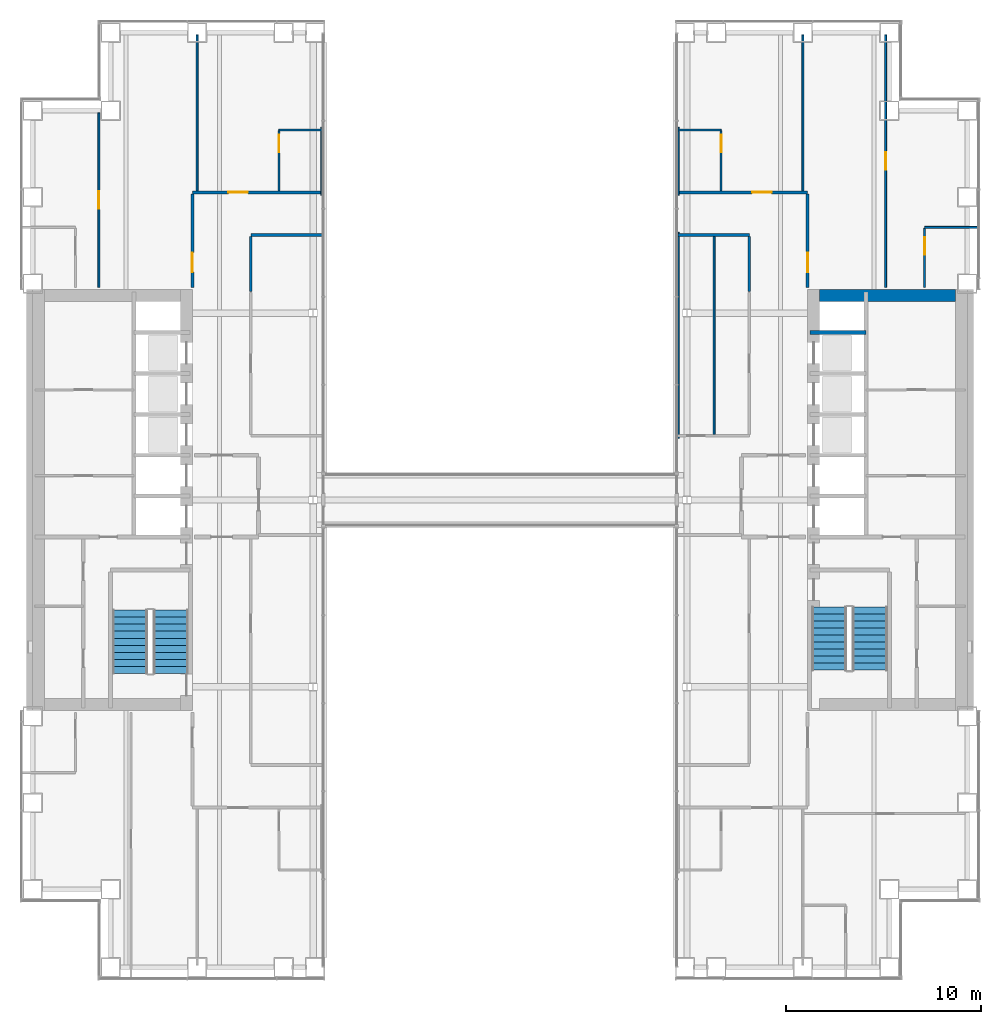
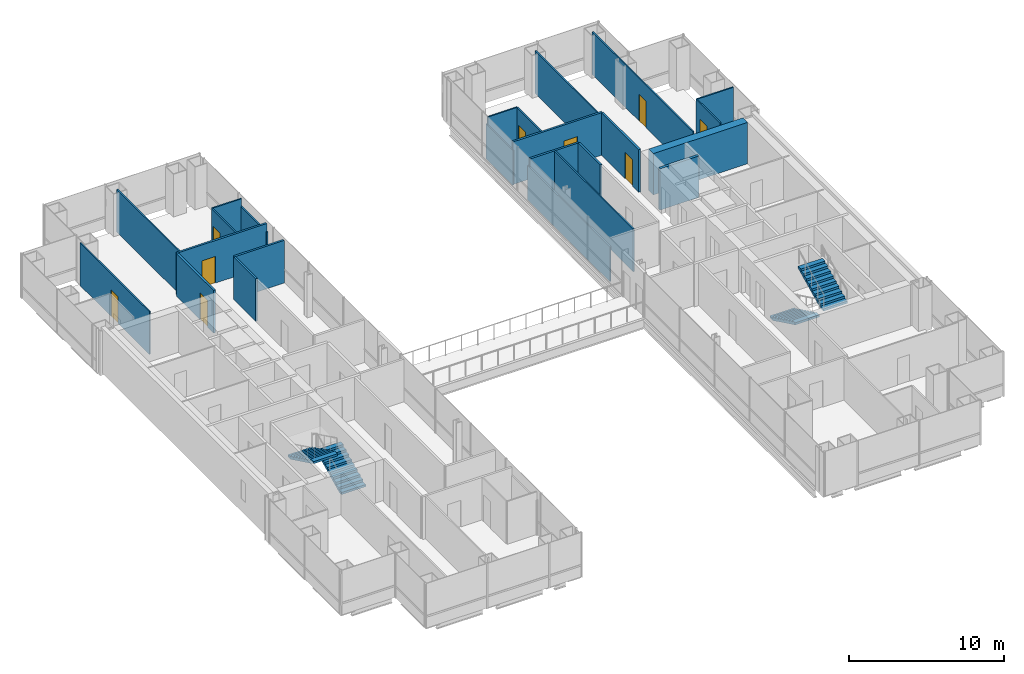
# One storey, part 17 of 19: 24 walls, 9 doors, 4 stair flights, 9 openings, 2 elements without a shape of their own.
"""IFC4 building model written with IfcOpenShell, lengths in metres."""

from ifc_helpers import new_model, si_unit, direction, frame, frame_2d, origin, place, context, subcontext, project, spatial, polyline, rectangle, outline, extrude, material, layer, layer_set, type_object, element, fill, aggregate, save


model = new_model("IFC4")

# Units and contexts
model_context = context("Model", 3, precision=1e-05, world=origin(), true_north=direction((0.0, 1.0)))
body_context = subcontext(model_context, "Body", "Model", "MODEL_VIEW")
ifc_project = project(units=[si_unit("LENGTHUNIT", "METRE"), si_unit("AREAUNIT", "SQUARE_METRE"), si_unit("VOLUMEUNIT", "CUBIC_METRE"), si_unit("PLANEANGLEUNIT", "RADIAN"), si_unit("MASSUNIT", "GRAM", prefix="KILO")], contexts=[model_context])

# Site, building, storey
site_placement = place(None, origin())
site = spatial("IfcSite", under=ifc_project, at=site_placement, CompositionType="ELEMENT")
building_placement = place(site_placement, origin())
building = spatial("IfcBuilding", under=site, at=building_placement, Name="Cobrizo Arcos Hotel Tower", CompositionType="ELEMENT")
storey_placement = place(building_placement, frame((0.0, 0.0, 63.5)))
storey = spatial("IfcBuildingStorey", under=building, at=storey_placement, Name="L14", CompositionType="ELEMENT", Elevation=63.5)

# Walls
ifc_material_1 = material(Name="Gypsum board partition")
ifc_layer_1 = layer(ifc_material_1, 0.14990234375)
ifc_layer_set_1 = layer_set([ifc_layer_1], Name="Corridor wall EI 60 150")
wall_type_1 = type_object("IfcWallType", Name="Corridor wall EI 60 150", PredefinedType="PARTITIONING", material=ifc_layer_set_1)
wall_1_placement = place(storey_placement, frame((-12.800048828125, 13.60009765625, 0.0), z_axis=(0.0, 0.0, 1.0), x_axis=(1.0, 0.0, 0.0)))
element("IfcWall", 1, at=wall_1_placement, inside=storey, type_object=wall_type_1, Name="Partition 038", PredefinedType="PARTITIONING", context=body_context, shape_type="SweptSolid", body=[
    extrude(rectangle(XDim=3.679931640625, YDim=0.14990234375, at=frame_2d((1.83984375, 0.0))), origin(), (0.0, 0.0, 1.0), 3.35009765625),
])
wall_2_placement = place(storey_placement, frame((9.14990234375, 13.60009765625, 0.0), z_axis=(0.0, 0.0, 1.0), x_axis=(1.0, 0.0, 0.0)))
element("IfcWall", 2, at=wall_2_placement, inside=storey, type_object=wall_type_1, Name="Partition 039", PredefinedType="PARTITIONING", context=body_context, shape_type="SweptSolid", body=[
    extrude(rectangle(XDim=3.650146484375, YDim=0.14990234375, at=frame_2d((1.8251953125, 0.0))), origin(), (0.0, 0.0, 1.0), 3.35009765625),
])

# Wall, opening, door
wall_3_placement = place(storey_placement, frame((-15.800048828125, 15.800048828125, 0.0), z_axis=(0.0, 0.0, 1.0), x_axis=(1.0, 0.0, 0.0)))
wall_3 = element("IfcWall", 3, at=wall_3_placement, inside=storey, type_object=wall_type_1, Name="Partition 042", PredefinedType="PARTITIONING", context=body_context, shape_type="SweptSolid", body=[
    extrude(rectangle(XDim=6.650146484375, YDim=0.14990234375, at=frame_2d((3.3251953125, 0.0))), origin(), (0.0, 0.0, 1.0), 3.35009765625),
])
opening_1_placement = place(wall_3_placement, frame((1.846923828125, 0.0, 0.0)))
opening_1 = element("IfcOpeningElement", 4, at=opening_1_placement, cuts=wall_3, Name="Opening GD-02", PredefinedType="OPENING", context=body_context, shape_type="SweptSolid", body=[
    extrude(rectangle(XDim=1.0, YDim=2.10009765625, at=frame_2d((0.5, 1.050048828125))), frame((0.0, 0.0869140625, 0.0), z_axis=(0.0, -1.0, 0.0), x_axis=(1.0, 0.0, 0.0)), (0.0, 0.0, 1.0), 0.173828125),
])
ifc_material_2 = material(Name="Timber door leaf", Category="wood")
door_type_1 = type_object("IfcDoorType", Name="Guest room door FD30S 1000x2100", OperationType="SINGLE_SWING_LEFT", PredefinedType="DOOR", material=ifc_material_2)
door_1_placement = place(opening_1_placement, origin())
door_1 = element("IfcDoor", 5, at=door_1_placement, inside=storey, type_object=door_type_1, Name="Door GD-02", OperationType="SINGLE_SWING_LEFT", OverallHeight=2.10009765625, OverallWidth=1.0, PredefinedType="DOOR", context=body_context, shape_type="SweptSolid", body=[
    extrude(rectangle(XDim=1.0, YDim=2.10009765625, at=frame_2d((0.5, 1.050048828125))), frame((0.0, 0.02490234375, 0.0), z_axis=(0.0, -1.0, 0.0), x_axis=(1.0, 0.0, 0.0)), (0.0, 0.0, 1.0), 0.050048828125),
])
fill(opening_1, door_1)

wall_4_placement = place(storey_placement, frame((9.14990234375, 15.800048828125, 0.0), z_axis=(0.0, 0.0, 1.0), x_axis=(1.0, 0.0, 0.0)))
wall_4 = element("IfcWall", 6, at=wall_4_placement, inside=storey, type_object=wall_type_1, Name="Partition 043", PredefinedType="PARTITIONING", context=body_context, shape_type="SweptSolid", body=[
    extrude(rectangle(XDim=6.650146484375, YDim=0.14990234375, at=frame_2d((3.3251953125, 0.0))), origin(), (0.0, 0.0, 1.0), 3.35009765625),
])
opening_2_placement = place(wall_4_placement, frame((3.802978515625, 0.0, 0.0)))
opening_2 = element("IfcOpeningElement", 7, at=opening_2_placement, cuts=wall_4, Name="Opening GD-01", PredefinedType="OPENING", context=body_context, shape_type="SweptSolid", body=[
    extrude(rectangle(XDim=1.0, YDim=2.10009765625, at=frame_2d((0.5, 1.050048828125))), frame((0.0, 0.0869140625, 0.0), z_axis=(0.0, -1.0, 0.0), x_axis=(1.0, 0.0, 0.0)), (0.0, 0.0, 1.0), 0.173828125),
])
door_2_placement = place(opening_2_placement, origin())
door_2 = element("IfcDoor", 8, at=door_2_placement, inside=storey, type_object=door_type_1, Name="Door GD-01", OperationType="SINGLE_SWING_RIGHT", OverallHeight=2.10009765625, OverallWidth=1.0, PredefinedType="DOOR", context=body_context, shape_type="SweptSolid", body=[
    extrude(rectangle(XDim=1.0, YDim=2.10009765625, at=frame_2d((0.5, 1.050048828125))), frame((0.0, 0.02490234375, 0.0), z_axis=(0.0, -1.0, 0.0), x_axis=(1.0, 0.0, 0.0)), (0.0, 0.0, 1.0), 0.050048828125),
])
fill(opening_2, door_2)

wall_5_placement = place(storey_placement, frame((-15.800048828125, 10.919921875, 0.0), z_axis=(0.0, 0.0, 1.0), x_axis=(0.0, 1.0, 0.0)))
wall_5 = element("IfcWall", 9, at=wall_5_placement, inside=storey, type_object=wall_type_1, Name="Partition 054", PredefinedType="PARTITIONING", context=body_context, shape_type="SweptSolid", body=[
    extrude(rectangle(XDim=4.80517578125, YDim=0.14990234375, at=frame_2d((2.402587890625, 0.0))), origin(), (0.0, 0.0, 1.0), 3.35009765625),
])
opening_3_placement = place(wall_5_placement, frame((0.780029296875, 0.0, 0.0)))
opening_3 = element("IfcOpeningElement", 10, at=opening_3_placement, cuts=wall_5, Name="Opening GD-06", PredefinedType="OPENING", context=body_context, shape_type="SweptSolid", body=[
    extrude(rectangle(XDim=1.0, YDim=2.10009765625, at=frame_2d((0.5, 1.050048828125))), frame((0.0, 0.0869140625, 0.0), z_axis=(0.0, -1.0, 0.0), x_axis=(1.0, 0.0, 0.0)), (0.0, 0.0, 1.0), 0.173828125),
])
door_3_placement = place(opening_3_placement, origin())
door_3 = element("IfcDoor", 11, at=door_3_placement, inside=storey, type_object=door_type_1, Name="Door GD-06", OperationType="SINGLE_SWING_RIGHT", OverallHeight=2.10009765625, OverallWidth=1.0, PredefinedType="DOOR", context=body_context, shape_type="SweptSolid", body=[
    extrude(rectangle(XDim=1.0, YDim=2.10009765625, at=frame_2d((0.5, 1.050048828125))), frame((0.0, 0.02490234375, 0.0), z_axis=(0.0, -1.0, 0.0), x_axis=(1.0, 0.0, 0.0)), (0.0, 0.0, 1.0), 0.050048828125),
])
fill(opening_3, door_3)

# Walls
for number, where, z_axis, x_axis, name in (
    (12, (-12.800048828125, 10.699951171875, 0.0), (0.0, 0.0, 1.0), (0.0, 1.0, 0.0), "Partition 059"),
    (13, (12.800048828125, 10.699951171875, 0.0), (0.0, 0.0, 1.0), (0.0, 1.0, 0.0), "Partition 074"),
):
    element("IfcWall", number, at=place(storey_placement, frame(where, z_axis=z_axis, x_axis=x_axis)), inside=storey, type_object=wall_type_1, Name=name, PredefinedType="PARTITIONING", context=body_context, shape_type="SweptSolid", body=[
        extrude(rectangle(XDim=2.824951171875, YDim=0.14990234375, at=frame_2d((1.41259765625, 0.0))), origin(), (0.0, 0.0, 1.0), 3.35009765625),
    ])

# Wall, opening, door
wall_6_placement = place(storey_placement, frame((15.800048828125, 10.919921875, 0.0), z_axis=(0.0, 0.0, 1.0), x_axis=(0.0, 1.0, 0.0)))
wall_6 = element("IfcWall", 14, at=wall_6_placement, inside=storey, type_object=wall_type_1, Name="Partition 078", PredefinedType="PARTITIONING", context=body_context, shape_type="SweptSolid", body=[
    extrude(rectangle(XDim=4.80517578125, YDim=0.14990234375, at=frame_2d((2.402587890625, 0.0))), origin(), (0.0, 0.0, 1.0), 3.35009765625),
])
opening_4_placement = place(wall_6_placement, frame((0.780029296875, 0.0, 0.0)))
opening_4 = element("IfcOpeningElement", 15, at=opening_4_placement, cuts=wall_6, Name="Opening GD-08", PredefinedType="OPENING", context=body_context, shape_type="SweptSolid", body=[
    extrude(rectangle(XDim=1.0, YDim=2.10009765625, at=frame_2d((0.5, 1.050048828125))), frame((0.0, 0.0869140625, 0.0), z_axis=(0.0, -1.0, 0.0), x_axis=(1.0, 0.0, 0.0)), (0.0, 0.0, 1.0), 0.173828125),
])
door_4_placement = place(opening_4_placement, origin())
door_4 = element("IfcDoor", 16, at=door_4_placement, inside=storey, type_object=door_type_1, Name="Door GD-08", OperationType="SINGLE_SWING_LEFT", OverallHeight=2.10009765625, OverallWidth=1.0, PredefinedType="DOOR", context=body_context, shape_type="SweptSolid", body=[
    extrude(rectangle(XDim=1.0, YDim=2.10009765625, at=frame_2d((0.5, 1.050048828125))), frame((0.0, 0.02490234375, 0.0), z_axis=(0.0, -1.0, 0.0), x_axis=(1.0, 0.0, 0.0)), (0.0, 0.0, 1.0), 0.050048828125),
])
fill(opening_4, door_4)

# Walls
ifc_layer_2 = layer(ifc_material_1, 0.10009765625)
ifc_layer_set_2 = layer_set([ifc_layer_2], Name="Partition EI 30 100")
wall_type_2 = type_object("IfcWallType", Name="Partition EI 30 100", PredefinedType="PARTITIONING", material=ifc_layer_set_2)
wall_7_placement = place(storey_placement, frame((21.800048828125, 14.0, 0.0), z_axis=(0.0, 0.0, 1.0), x_axis=(1.0, 0.0, 0.0)))
element("IfcWall", 17, at=wall_7_placement, inside=storey, type_object=wall_type_2, Name="Partition 041", PredefinedType="PARTITIONING", context=body_context, shape_type="SweptSolid", body=[
    extrude(rectangle(XDim=2.72998046875, YDim=0.10009765625, at=frame_2d((1.364990234375, 0.0))), origin(), (0.0, 0.0, 1.0), 3.35009765625),
])
for number, where, z_axis, x_axis, name in (
    (18, (-11.35009765625, 19.0, 0.0), (0.0, 0.0, 1.0), (1.0, 0.0, 0.0), "Partition 044"),
    (19, (9.14990234375, 19.0, 0.0), (0.0, 0.0, 1.0), (1.0, 0.0, 0.0), "Partition 045"),
):
    element("IfcWall", number, at=place(storey_placement, frame(where, z_axis=z_axis, x_axis=x_axis)), inside=storey, type_object=wall_type_2, Name=name, PredefinedType="PARTITIONING", context=body_context, shape_type="SweptSolid", body=[
        extrude(rectangle(XDim=2.2001953125, YDim=0.10009765625, at=frame_2d((1.10009765625, 0.0))), origin(), (0.0, 0.0, 1.0), 3.35009765625),
    ])

# Wall, opening, door
wall_8_placement = place(storey_placement, frame((-20.60009765625, 10.919921875, 0.0), z_axis=(0.0, 0.0, 1.0), x_axis=(0.0, 1.0, 0.0)))
wall_8 = element("IfcWall", 20, at=wall_8_placement, inside=storey, type_object=wall_type_2, Name="Partition 049", PredefinedType="PARTITIONING", context=body_context, shape_type="SweptSolid", body=[
    extrude(rectangle(XDim=8.9599609375, YDim=0.10009765625, at=frame_2d((4.47998046875, 0.0))), origin(), (0.0, 0.0, 1.0), 3.35009765625),
])
opening_5_placement = place(wall_8_placement, frame((4.030029296875, 0.0, 0.0)))
opening_5 = element("IfcOpeningElement", 21, at=opening_5_placement, cuts=wall_8, Name="Opening RD-12", PredefinedType="OPENING", context=body_context, shape_type="SweptSolid", body=[
    extrude(rectangle(XDim=0.89990234375, YDim=2.10009765625, at=frame_2d((0.449951171875, 1.050048828125))), frame((0.0, 0.06201171875, 0.0), z_axis=(0.0, -1.0, 0.0), x_axis=(1.0, 0.0, 0.0)), (0.0, 0.0, 1.0), 0.1240234375),
])
door_type_2 = type_object("IfcDoorType", Name="Room door FD30 900x2100", OperationType="SINGLE_SWING_LEFT", PredefinedType="DOOR", material=ifc_material_2)
door_5_placement = place(opening_5_placement, origin())
door_5 = element("IfcDoor", 22, at=door_5_placement, inside=storey, type_object=door_type_2, Name="Door RD-12", OperationType="SINGLE_SWING_RIGHT", OverallHeight=2.10009765625, OverallWidth=0.89990234375, PredefinedType="DOOR", context=body_context, shape_type="SweptSolid", body=[
    extrude(rectangle(XDim=0.89990234375, YDim=2.10009765625, at=frame_2d((0.449951171875, 1.050048828125))), frame((0.0, 0.02490234375, 0.0), z_axis=(0.0, -1.0, 0.0), x_axis=(1.0, 0.0, 0.0)), (0.0, 0.0, 1.0), 0.050048828125),
])
fill(opening_5, door_5)

# Wall
wall_9_placement = place(storey_placement, frame((-15.550048828125, 15.875, 0.0), z_axis=(0.0, 0.0, 1.0), x_axis=(0.0, 1.0, 0.0)))
element("IfcWall", 23, at=wall_9_placement, inside=storey, type_object=wall_type_2, Name="Partition 056", PredefinedType="PARTITIONING", context=body_context, shape_type="SweptSolid", body=[
    extrude(rectangle(XDim=8.0048828125, YDim=0.10009765625, at=frame_2d((4.00244140625, 0.0))), origin(), (0.0, 0.0, 1.0), 3.35009765625),
])

# Wall, opening, door
wall_10_placement = place(storey_placement, frame((-11.35009765625, 15.875, 0.0), z_axis=(0.0, 0.0, 1.0), x_axis=(0.0, 1.0, 0.0)))
wall_10 = element("IfcWall", 24, at=wall_10_placement, inside=storey, type_object=wall_type_2, Name="Partition 062", PredefinedType="PARTITIONING", context=body_context, shape_type="SweptSolid", body=[
    extrude(rectangle(XDim=3.074951171875, YDim=0.10009765625, at=frame_2d((1.53759765625, 0.0))), origin(), (0.0, 0.0, 1.0), 3.35009765625),
])
opening_6_placement = place(wall_10_placement, frame((1.970947265625, 0.0, 0.0)))
opening_6 = element("IfcOpeningElement", 25, at=opening_6_placement, cuts=wall_10, Name="Opening ED-02", PredefinedType="OPENING", context=body_context, shape_type="SweptSolid", body=[
    extrude(rectangle(XDim=0.89990234375, YDim=2.10009765625, at=frame_2d((0.449951171875, 1.050048828125))), frame((0.0, 0.06201171875, 0.0), z_axis=(0.0, -1.0, 0.0), x_axis=(1.0, 0.0, 0.0)), (0.0, 0.0, 1.0), 0.1240234375),
])
door_type_3 = type_object("IfcDoorType", Name="En-suite door 900x2100", OperationType="SINGLE_SWING_LEFT", PredefinedType="DOOR", material=ifc_material_2)
door_6_placement = place(opening_6_placement, origin())
door_6 = element("IfcDoor", 26, at=door_6_placement, inside=storey, type_object=door_type_3, Name="Door ED-02", OperationType="SINGLE_SWING_LEFT", OverallHeight=2.10009765625, OverallWidth=0.89990234375, PredefinedType="DOOR", context=body_context, shape_type="SweptSolid", body=[
    extrude(rectangle(XDim=0.89990234375, YDim=2.10009765625, at=frame_2d((0.449951171875, 1.050048828125))), frame((0.0, 0.02490234375, 0.0), z_axis=(0.0, -1.0, 0.0), x_axis=(1.0, 0.0, 0.0)), (0.0, 0.0, 1.0), 0.050048828125),
])
fill(opening_6, door_6)

# Walls
wall_11_placement = place(storey_placement, frame((-9.14990234375, 15.659912109375, 0.0), z_axis=(0.0, 0.0, 1.0), x_axis=(0.0, 1.0, 0.0)))
element("IfcWall", 27, at=wall_11_placement, inside=storey, type_object=wall_type_2, Name="Partition 064", PredefinedType="PARTITIONING", context=body_context, shape_type="SweptSolid", body=[
    extrude(rectangle(XDim=3.47998046875, YDim=0.10009765625, at=frame_2d((1.739990234375, 0.0))), origin(), (0.0, 0.0, 1.0), 2.73291015625),
])
wall_12_placement = place(storey_placement, frame((9.14990234375, 3.159912109375, 0.0), z_axis=(0.0, 0.0, 1.0), x_axis=(0.0, 1.0, 0.0)))
element("IfcWall", 28, at=wall_12_placement, inside=storey, type_object=wall_type_2, Name="Partition 066", PredefinedType="PARTITIONING", context=body_context, shape_type="SweptSolid", body=[
    extrude(rectangle(XDim=10.580078125, YDim=0.10009765625, at=frame_2d((5.2900390625, 0.0))), origin(), (0.0, 0.0, 1.0), 2.73291015625),
])
wall_13_placement = place(storey_placement, frame((9.14990234375, 15.659912109375, 0.0), z_axis=(0.0, 0.0, 1.0), x_axis=(0.0, 1.0, 0.0)))
element("IfcWall", 29, at=wall_13_placement, inside=storey, type_object=wall_type_2, Name="Partition 067", PredefinedType="PARTITIONING", context=body_context, shape_type="SweptSolid", body=[
    extrude(rectangle(XDim=3.47998046875, YDim=0.10009765625, at=frame_2d((1.739990234375, 0.0))), origin(), (0.0, 0.0, 1.0), 2.73291015625),
])
wall_14_placement = place(storey_placement, frame((11.0, 3.375, 0.0), z_axis=(0.0, 0.0, 1.0), x_axis=(0.0, 1.0, 0.0)))
element("IfcWall", 30, at=wall_14_placement, inside=storey, type_object=wall_type_2, Name="Partition 068", PredefinedType="PARTITIONING", context=body_context, shape_type="SweptSolid", body=[
    extrude(rectangle(XDim=10.14990234375, YDim=0.10009765625, at=frame_2d((5.074951171875, 0.0))), origin(), (0.0, 0.0, 1.0), 3.35009765625),
])

# Wall, opening, door
wall_15_placement = place(storey_placement, frame((11.35009765625, 15.875, 0.0), z_axis=(0.0, 0.0, 1.0), x_axis=(0.0, 1.0, 0.0)))
wall_15 = element("IfcWall", 31, at=wall_15_placement, inside=storey, type_object=wall_type_2, Name="Partition 070", PredefinedType="PARTITIONING", context=body_context, shape_type="SweptSolid", body=[
    extrude(rectangle(XDim=3.074951171875, YDim=0.10009765625, at=frame_2d((1.53759765625, 0.0))), origin(), (0.0, 0.0, 1.0), 3.35009765625),
])
opening_7_placement = place(wall_15_placement, frame((1.970947265625, 0.0, 0.0)))
opening_7 = element("IfcOpeningElement", 32, at=opening_7_placement, cuts=wall_15, Name="Opening ED-01", PredefinedType="OPENING", context=body_context, shape_type="SweptSolid", body=[
    extrude(rectangle(XDim=0.89990234375, YDim=2.10009765625, at=frame_2d((0.449951171875, 1.050048828125))), frame((0.0, 0.06201171875, 0.0), z_axis=(0.0, -1.0, 0.0), x_axis=(1.0, 0.0, 0.0)), (0.0, 0.0, 1.0), 0.1240234375),
])
door_7_placement = place(opening_7_placement, origin())
door_7 = element("IfcDoor", 33, at=door_7_placement, inside=storey, type_object=door_type_3, Name="Door ED-01", OperationType="SINGLE_SWING_LEFT", OverallHeight=2.10009765625, OverallWidth=0.89990234375, PredefinedType="DOOR", context=body_context, shape_type="SweptSolid", body=[
    extrude(rectangle(XDim=0.89990234375, YDim=2.10009765625, at=frame_2d((0.449951171875, 1.050048828125))), frame((0.0, 0.02490234375, 0.0), z_axis=(0.0, -1.0, 0.0), x_axis=(1.0, 0.0, 0.0)), (0.0, 0.0, 1.0), 0.050048828125),
])
fill(opening_7, door_7)

# Wall
wall_16_placement = place(storey_placement, frame((15.550048828125, 15.875, 0.0), z_axis=(0.0, 0.0, 1.0), x_axis=(0.0, 1.0, 0.0)))
element("IfcWall", 34, at=wall_16_placement, inside=storey, type_object=wall_type_2, Name="Partition 076", PredefinedType="PARTITIONING", context=body_context, shape_type="SweptSolid", body=[
    extrude(rectangle(XDim=8.0048828125, YDim=0.10009765625, at=frame_2d((4.00244140625, 0.0))), origin(), (0.0, 0.0, 1.0), 3.35009765625),
])

# Wall, opening, door
wall_17_placement = place(storey_placement, frame((19.800048828125, 10.919921875, 0.0), z_axis=(0.0, 0.0, 1.0), x_axis=(0.0, 1.0, 0.0)))
wall_17 = element("IfcWall", 35, at=wall_17_placement, inside=storey, type_object=wall_type_2, Name="Partition 081", PredefinedType="PARTITIONING", context=body_context, shape_type="SweptSolid", body=[
    extrude(rectangle(XDim=12.9599609375, YDim=0.10009765625, at=frame_2d((6.47998046875, 0.0))), origin(), (0.0, 0.0, 1.0), 3.35009765625),
])
opening_8_placement = place(wall_17_placement, frame((6.030029296875, 0.0, 0.0)))
opening_8 = element("IfcOpeningElement", 36, at=opening_8_placement, cuts=wall_17, Name="Opening RD-14", PredefinedType="OPENING", context=body_context, shape_type="SweptSolid", body=[
    extrude(rectangle(XDim=0.89990234375, YDim=2.10009765625, at=frame_2d((0.449951171875, 1.050048828125))), frame((0.0, 0.06201171875, 0.0), z_axis=(0.0, -1.0, 0.0), x_axis=(1.0, 0.0, 0.0)), (0.0, 0.0, 1.0), 0.1240234375),
])
door_8_placement = place(opening_8_placement, origin())
door_8 = element("IfcDoor", 37, at=door_8_placement, inside=storey, type_object=door_type_2, Name="Door RD-14", OperationType="SINGLE_SWING_LEFT", OverallHeight=2.10009765625, OverallWidth=0.89990234375, PredefinedType="DOOR", context=body_context, shape_type="SweptSolid", body=[
    extrude(rectangle(XDim=0.89990234375, YDim=2.10009765625, at=frame_2d((0.449951171875, 1.050048828125))), frame((0.0, 0.02490234375, 0.0), z_axis=(0.0, -1.0, 0.0), x_axis=(1.0, 0.0, 0.0)), (0.0, 0.0, 1.0), 0.050048828125),
])
fill(opening_8, door_8)

wall_18_placement = place(storey_placement, frame((21.800048828125, 10.919921875, 0.0), z_axis=(0.0, 0.0, 1.0), x_axis=(0.0, 1.0, 0.0)))
wall_18 = element("IfcWall", 38, at=wall_18_placement, inside=storey, type_object=wall_type_2, Name="Partition 084", PredefinedType="PARTITIONING", context=body_context, shape_type="SweptSolid", body=[
    extrude(rectangle(XDim=3.030029296875, YDim=0.10009765625, at=frame_2d((1.51513671875, 0.0))), origin(), (0.0, 0.0, 1.0), 3.35009765625),
])
opening_9_placement = place(wall_18_placement, frame((1.669921875, 0.0, 0.0)))
opening_9 = element("IfcOpeningElement", 39, at=opening_9_placement, cuts=wall_18, Name="Opening ED-08", PredefinedType="OPENING", context=body_context, shape_type="SweptSolid", body=[
    extrude(rectangle(XDim=0.89990234375, YDim=2.10009765625, at=frame_2d((0.449951171875, 1.050048828125))), frame((0.0, 0.06201171875, 0.0), z_axis=(0.0, -1.0, 0.0), x_axis=(1.0, 0.0, 0.0)), (0.0, 0.0, 1.0), 0.1240234375),
])
door_9_placement = place(opening_9_placement, origin())
door_9 = element("IfcDoor", 40, at=door_9_placement, inside=storey, type_object=door_type_3, Name="Door ED-08", OperationType="SINGLE_SWING_RIGHT", OverallHeight=2.10009765625, OverallWidth=0.89990234375, PredefinedType="DOOR", context=body_context, shape_type="SweptSolid", body=[
    extrude(rectangle(XDim=0.89990234375, YDim=2.10009765625, at=frame_2d((0.449951171875, 1.050048828125))), frame((0.0, 0.02490234375, 0.0), z_axis=(0.0, -1.0, 0.0), x_axis=(1.0, 0.0, 0.0)), (0.0, 0.0, 1.0), 0.050048828125),
])
fill(opening_9, door_9)

# Walls
ifc_material_3 = material(Name="Concrete f'c 60 MPa", Category="concrete")
ifc_layer_3 = layer(ifc_material_3, 0.60009765625)
ifc_layer_set_3 = layer_set([ifc_layer_3], Name="RC core wall 600 f'c 60")
wall_type_3 = type_object("IfcWallType", Name="RC core wall 600 f'c 60", PredefinedType="SHEAR", material=ifc_layer_set_3)
wall_19_placement = place(storey_placement, frame((16.39990234375, 10.5, 0.0), z_axis=(0.0, 0.0, 1.0), x_axis=(1.0, 0.0, 0.0)))
element("IfcWall", 41, at=wall_19_placement, inside=storey, type_object=wall_type_3, Name="Core wall CW1, east core, north end, L14", PredefinedType="SHEAR", context=body_context, shape_type="SweptSolid", body=[
    extrude(rectangle(XDim=7.0, YDim=0.60009765625, at=frame_2d((3.5, 0.0))), origin(), (0.0, 0.0, 1.0), 3.25),
])
ifc_layer_4 = layer(ifc_material_1, 0.199951171875)
ifc_layer_set_4 = layer_set([ifc_layer_4], Name="Shaft wall EI 120 200")
wall_type_4 = type_object("IfcWallType", Name="Shaft wall EI 120 200", PredefinedType="PARTITIONING", material=ifc_layer_set_4)
wall_20_placement = place(storey_placement, frame((15.919921875, 8.60009765625, 0.0), z_axis=(0.0, 0.0, 1.0), x_axis=(1.0, 0.0, 0.0)))
element("IfcWall", 42, at=wall_20_placement, inside=storey, type_object=wall_type_4, Name="Partition 037", PredefinedType="PARTITIONING", context=body_context, shape_type="SweptSolid", body=[
    extrude(rectangle(XDim=2.880126953125, YDim=0.199951171875, at=frame_2d((1.43994140625, 0.0))), origin(), (0.0, 0.0, 1.0), 3.25),
])

# Stair, stair flights
ifc_material_4 = material(Name="Concrete f'c 40 MPa", Category="concrete")
stair_type = type_object("IfcStairType", Name="Exit stair", PredefinedType="HALF_TURN_STAIR", material=ifc_material_4)
stair_1_placement = place(storey_placement, origin())
stair_1 = element("IfcStair", 43, at=stair_1_placement, inside=storey, type_object=stair_type, Name="L14 Exit stair ST-W", PredefinedType="HALF_TURN_STAIR")
stair_flight_type = type_object("IfcStairFlightType", Name="Exit stair flight", PredefinedType="STRAIGHT", material=ifc_material_4)
stair_flight_1_placement = place(storey_placement, frame((-16.89990234375, -8.89990234375, 0.0), z_axis=(0.0, 0.0, 1.0), x_axis=(0.0, 1.0, 0.0)))
stair_flight_1 = element("IfcStairFlight", 44, at=stair_flight_1_placement, type_object=stair_flight_type, Name="ST-W flight 1", NumberOfRisers=10, NumberOfTreads=9, PredefinedType="STRAIGHT", RiserHeight=0.175, TreadLength=0.36, context=body_context, shape_type="SweptSolid", body=[
    extrude(outline(polyline([(0.0, 0.0), (0.0, 0.175048828125), (0.360107421875, 0.175048828125), (0.360107421875, 0.35009765625), (0.719970703125, 0.35009765625), (0.719970703125, 0.52490234375), (1.080078125, 0.52490234375), (1.080078125, 0.699951171875), (1.43994140625, 0.699951171875), (1.43994140625, 0.875), (1.800048828125, 0.875), (1.800048828125, 1.050048828125), (2.159912109375, 1.050048828125), (2.159912109375, 1.22509765625), (2.52001953125, 1.22509765625), (2.52001953125, 1.39990234375), (2.8798828125, 1.39990234375), (2.8798828125, 1.574951171875), (3.239990234375, 1.574951171875), (3.239990234375, 1.75), (3.239990234375, 1.408203125), (0.3427734375, 0.0), (0.0, 0.0)])), frame((0.0, 0.89990234375, 0.0), z_axis=(0.0, -1.0, 0.0), x_axis=(1.0, 0.0, 0.0)), (0.0, 0.0, 1.0), 1.800048828125),
])
stair_flight_2_placement = place(storey_placement, frame((-19.0, -5.659912109375, 1.75), z_axis=(0.0, 0.0, 1.0), x_axis=(0.0, -1.0, 0.0)))
stair_flight_2 = element("IfcStairFlight", 45, at=stair_flight_2_placement, type_object=stair_flight_type, Name="ST-W flight 2", NumberOfRisers=10, NumberOfTreads=9, PredefinedType="STRAIGHT", RiserHeight=0.175, TreadLength=0.36, context=body_context, shape_type="SweptSolid", body=[
    extrude(outline(polyline([(0.0, 0.0), (0.0, 0.175048828125), (0.360107421875, 0.175048828125), (0.360107421875, 0.35009765625), (0.719970703125, 0.35009765625), (0.719970703125, 0.52490234375), (1.080078125, 0.52490234375), (1.080078125, 0.699951171875), (1.43994140625, 0.699951171875), (1.43994140625, 0.875), (1.800048828125, 0.875), (1.800048828125, 1.050048828125), (2.159912109375, 1.050048828125), (2.159912109375, 1.22509765625), (2.52001953125, 1.22509765625), (2.52001953125, 1.39990234375), (2.8798828125, 1.39990234375), (2.8798828125, 1.574951171875), (3.239990234375, 1.574951171875), (3.239990234375, 1.75), (3.239990234375, 1.408203125), (0.3427734375, 0.0), (0.0, 0.0)])), frame((0.0, 0.89990234375, 0.0), z_axis=(0.0, -1.0, 0.0), x_axis=(1.0, 0.0, 0.0)), (0.0, 0.0, 1.0), 1.800048828125),
])
aggregate(stair_1, [stair_flight_1, stair_flight_2])

stair_2_placement = place(storey_placement, origin())
stair_2 = element("IfcStair", 46, at=stair_2_placement, inside=storey, type_object=stair_type, Name="L14 Exit stair ST-E", PredefinedType="HALF_TURN_STAIR")
stair_flight_3_placement = place(storey_placement, frame((16.89990234375, -5.5, 0.0), z_axis=(0.0, 0.0, 1.0), x_axis=(0.0, -1.0, 0.0)))
stair_flight_3 = element("IfcStairFlight", 47, at=stair_flight_3_placement, type_object=stair_flight_type, Name="ST-E flight 1", NumberOfRisers=10, NumberOfTreads=9, PredefinedType="STRAIGHT", RiserHeight=0.175, TreadLength=0.36, context=body_context, shape_type="SweptSolid", body=[
    extrude(outline(polyline([(0.0, 0.0), (0.0, 0.175048828125), (0.360107421875, 0.175048828125), (0.360107421875, 0.35009765625), (0.719970703125, 0.35009765625), (0.719970703125, 0.52490234375), (1.080078125, 0.52490234375), (1.080078125, 0.699951171875), (1.43994140625, 0.699951171875), (1.43994140625, 0.875), (1.800048828125, 0.875), (1.800048828125, 1.050048828125), (2.159912109375, 1.050048828125), (2.159912109375, 1.22509765625), (2.52001953125, 1.22509765625), (2.52001953125, 1.39990234375), (2.8798828125, 1.39990234375), (2.8798828125, 1.574951171875), (3.239990234375, 1.574951171875), (3.239990234375, 1.75), (3.239990234375, 1.408203125), (0.3427734375, 0.0), (0.0, 0.0)])), frame((0.0, 0.89990234375, 0.0), z_axis=(0.0, -1.0, 0.0), x_axis=(1.0, 0.0, 0.0)), (0.0, 0.0, 1.0), 1.800048828125),
])
stair_flight_4_placement = place(storey_placement, frame((19.0, -8.739990234375, 1.75), z_axis=(0.0, 0.0, 1.0), x_axis=(0.0, 1.0, 0.0)))
stair_flight_4 = element("IfcStairFlight", 48, at=stair_flight_4_placement, type_object=stair_flight_type, Name="ST-E flight 2", NumberOfRisers=10, NumberOfTreads=9, PredefinedType="STRAIGHT", RiserHeight=0.175, TreadLength=0.36, context=body_context, shape_type="SweptSolid", body=[
    extrude(outline(polyline([(0.0, 0.0), (0.0, 0.175048828125), (0.360107421875, 0.175048828125), (0.360107421875, 0.35009765625), (0.719970703125, 0.35009765625), (0.719970703125, 0.52490234375), (1.080078125, 0.52490234375), (1.080078125, 0.699951171875), (1.43994140625, 0.699951171875), (1.43994140625, 0.875), (1.800048828125, 0.875), (1.800048828125, 1.050048828125), (2.159912109375, 1.050048828125), (2.159912109375, 1.22509765625), (2.52001953125, 1.22509765625), (2.52001953125, 1.39990234375), (2.8798828125, 1.39990234375), (2.8798828125, 1.574951171875), (3.239990234375, 1.574951171875), (3.239990234375, 1.75), (3.239990234375, 1.408203125), (0.3427734375, 0.0), (0.0, 0.0)])), frame((0.0, 0.89990234375, 0.0), z_axis=(0.0, -1.0, 0.0), x_axis=(1.0, 0.0, 0.0)), (0.0, 0.0, 1.0), 1.800048828125),
])
aggregate(stair_2, [stair_flight_3, stair_flight_4])

save(model, "model.ifc")
